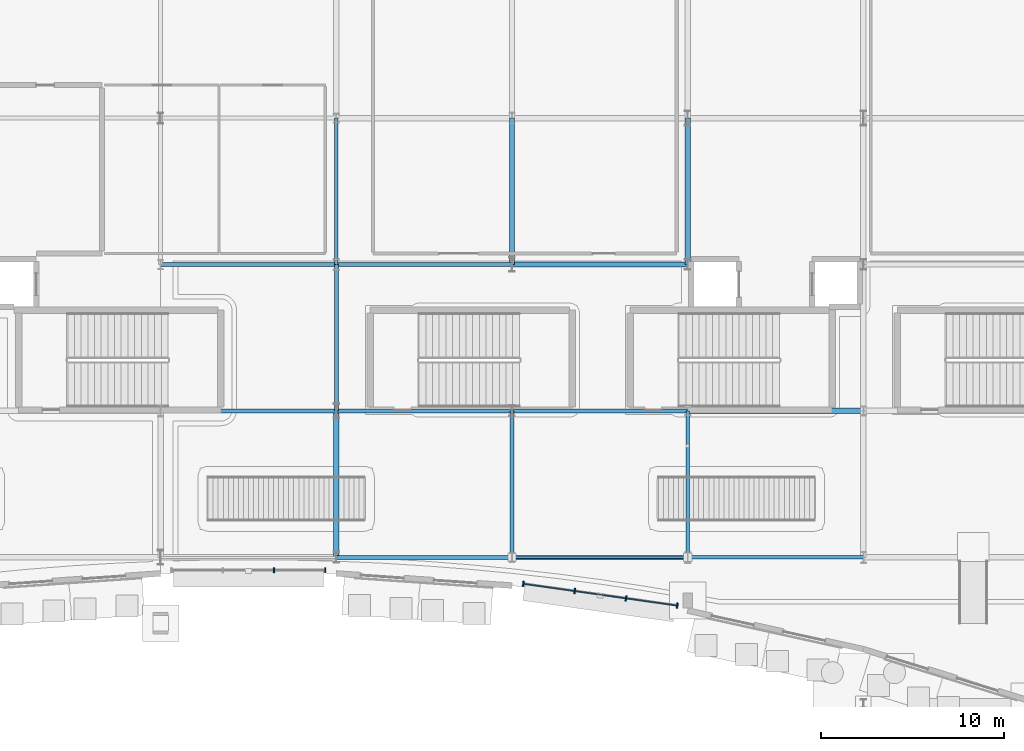
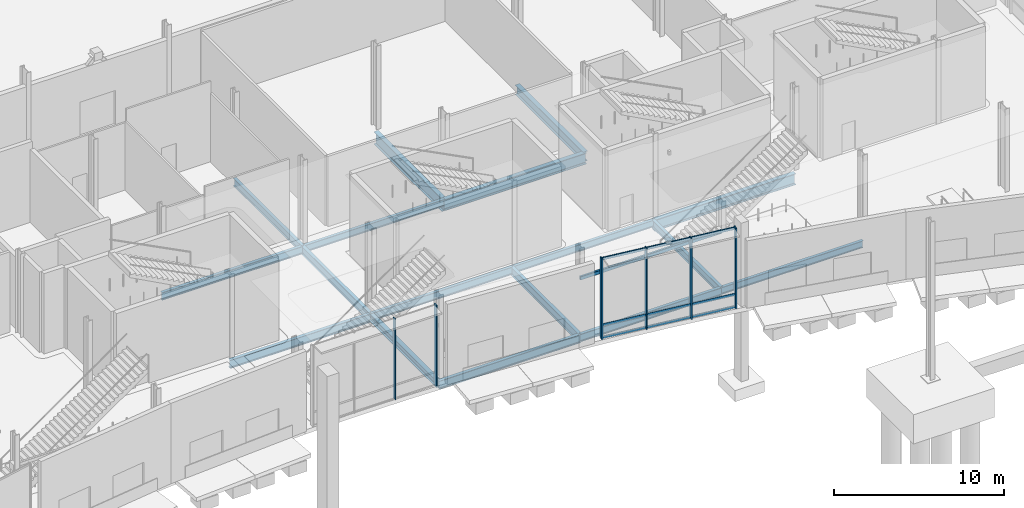
# One storey, part 39 of 124: 18 beams, 9 members, 2 elements without a shape of their own.
"""IFC4 building model written with IfcOpenShell, lengths in metres."""

from ifc_helpers import new_model, si_unit, direction, frame, origin, origin_2d, place, context, subcontext, project, spatial, rectangle, hollow_rectangle, i_section, extrude, material, material_profile, profile_set, type_object, element, aggregate, save


model = new_model("IFC4")

# Units and contexts
model_context = context("Model", 3, precision=1e-05, world=origin(), true_north=direction((0.0, 1.0)))
body_context = subcontext(model_context, "Body", "Model", "MODEL_VIEW")
ifc_project = project(units=[si_unit("LENGTHUNIT", "METRE"), si_unit("AREAUNIT", "SQUARE_METRE"), si_unit("VOLUMEUNIT", "CUBIC_METRE"), si_unit("PLANEANGLEUNIT", "RADIAN"), si_unit("MASSUNIT", "GRAM", prefix="KILO")], contexts=[model_context])

# Site, building, storey
site_placement = place(None, origin())
site = spatial("IfcSite", under=ifc_project, at=site_placement, CompositionType="ELEMENT")
building_placement = place(site_placement, origin())
building = spatial("IfcBuilding", under=site, at=building_placement, Name="Danafjord Basin Convention Centre", CompositionType="ELEMENT")
storey_placement = place(building_placement, origin())
storey = spatial("IfcBuildingStorey", under=building, at=storey_placement, Name="L00", CompositionType="ELEMENT", Elevation=0.0)

# Beams
ifc_material_1 = material(Name="Steel S355", Category="steel")
ifc_material_profile_1 = material_profile(ifc_material_1, i_section(OverallWidth=0.300048828125, OverallDepth=0.5, WebThickness=0.014404296875, FlangeThickness=0.028076171875, FilletRadius=0.027099609375, at=origin_2d()), Name="HEB 500")
ifc_profile_set_1 = profile_set([ifc_material_profile_1], Name="Steel S355")
beam_type_1 = type_object("IfcBeamType", Name="BEAM-BM-HEB500", PredefinedType="BEAM", material=ifc_profile_set_1)
beam_1_placement = place(storey_placement, frame((67.199951171875, 8.0, -0.56005859375), z_axis=(0.0, 1.0, 0.0), x_axis=(-1.0, 0.0, 0.0)))
element("IfcBeam", 1, at=beam_1_placement, inside=storey, type_object=beam_type_1, Name="L00 transverse girder BM-HEB500", PredefinedType="BEAM", context=body_context, shape_type="SweptSolid", body=[
    extrude(i_section(OverallWidth=0.300048828125, OverallDepth=0.5, WebThickness=0.014404296875, FlangeThickness=0.028076171875, FilletRadius=0.027099609375, at=origin_2d()), origin(), (0.0, 0.0, 1.0), 8.0),
])
ifc_material_profile_2 = material_profile(ifc_material_1, i_section(OverallWidth=0.300048828125, OverallDepth=0.699951171875, WebThickness=0.01708984375, FlangeThickness=0.031982421875, FilletRadius=0.027099609375, at=origin_2d()), Name="HEB 700")
ifc_profile_set_2 = profile_set([ifc_material_profile_2], Name="Steel S355")
beam_type_2 = type_object("IfcBeamType", Name="BEAM-BM-HEB700", PredefinedType="BEAM", material=ifc_profile_set_2)
beam_2_placement = place(storey_placement, frame((86.39990234375, 24.0, -0.659912109375), z_axis=(0.0, 1.0, 0.0), x_axis=(-1.0, 0.0, 0.0)))
element("IfcBeam", 2, at=beam_2_placement, inside=storey, type_object=beam_type_2, Name="L00 transverse girder BM-HEB700", PredefinedType="BEAM", context=body_context, shape_type="SweptSolid", body=[
    extrude(i_section(OverallWidth=0.300048828125, OverallDepth=0.699951171875, WebThickness=0.01708984375, FlangeThickness=0.031982421875, FilletRadius=0.027099609375, at=origin_2d()), origin(), (0.0, 0.0, 1.0), 8.0),
])
ifc_material_profile_3 = material_profile(ifc_material_1, i_section(OverallWidth=0.300048828125, OverallDepth=0.800048828125, WebThickness=0.017578125, FlangeThickness=0.032958984375, FilletRadius=0.030029296875, at=origin_2d()), Name="HEB 800")
ifc_profile_set_3 = profile_set([ifc_material_profile_3], Name="Steel S355")
beam_type_3 = type_object("IfcBeamType", Name="BEAM-BM-HEB800", PredefinedType="BEAM", material=ifc_profile_set_3)
beam_3_placement = place(storey_placement, frame((76.800048828125, 24.0, -0.7099609375), z_axis=(1.0, 0.0, 0.0), x_axis=(0.0, 1.0, 0.0)))
element("IfcBeam", 3, at=beam_3_placement, inside=storey, type_object=beam_type_3, Name="L00 girder BM-HEB800", PredefinedType="BEAM", context=body_context, shape_type="SweptSolid", body=[
    extrude(i_section(OverallWidth=0.300048828125, OverallDepth=0.800048828125, WebThickness=0.017578125, FlangeThickness=0.032958984375, FilletRadius=0.030029296875, at=origin_2d()), origin(), (0.0, 0.0, 1.0), 9.599853515625),
])
beam_4_placement = place(storey_placement, frame((86.39990234375, 16.0, -0.7099609375), z_axis=(1.0, 0.0, 0.0), x_axis=(0.0, 1.0, 0.0)))
element("IfcBeam", 4, at=beam_4_placement, inside=storey, type_object=beam_type_3, Name="L00 girder BM-HEB800", PredefinedType="BEAM", context=body_context, shape_type="SweptSolid", body=[
    extrude(i_section(OverallWidth=0.300048828125, OverallDepth=0.800048828125, WebThickness=0.017578125, FlangeThickness=0.032958984375, FilletRadius=0.030029296875, at=origin_2d()), origin(), (0.0, 0.0, 1.0), 9.60009765625),
])
ifc_material_profile_4 = material_profile(ifc_material_1, i_section(OverallWidth=0.300048828125, OverallDepth=0.89990234375, WebThickness=0.0185546875, FlangeThickness=0.034912109375, FilletRadius=0.030029296875, at=origin_2d()), Name="HEB 900")
ifc_profile_set_4 = profile_set([ifc_material_profile_4], Name="Steel S355")
beam_type_4 = type_object("IfcBeamType", Name="BEAM-BM-HEB900", PredefinedType="BEAM", material=ifc_profile_set_4)
beam_5_placement = place(storey_placement, frame((76.800048828125, 24.0, -0.760009765625), z_axis=(0.0, 1.0, 0.0), x_axis=(-1.0, 0.0, 0.0)))
element("IfcBeam", 5, at=beam_5_placement, inside=storey, type_object=beam_type_4, Name="L00 transverse girder BM-HEB900", PredefinedType="BEAM", context=body_context, shape_type="SweptSolid", body=[
    extrude(i_section(OverallWidth=0.300048828125, OverallDepth=0.89990234375, WebThickness=0.0185546875, FlangeThickness=0.034912109375, FilletRadius=0.030029296875, at=origin_2d()), origin(), (0.0, 0.0, 1.0), 8.0),
])
ifc_material_profile_5 = material_profile(ifc_material_1, i_section(OverallWidth=0.199951171875, OverallDepth=0.5, WebThickness=0.01025390625, FlangeThickness=0.01611328125, FilletRadius=0.02099609375, at=origin_2d()), Name="IPE 500")
ifc_profile_set_5 = profile_set([ifc_material_profile_5], Name="Steel S355")
beam_type_5 = type_object("IfcBeamType", Name="BEAM-BM-IPE500", PredefinedType="BEAM", material=ifc_profile_set_5)
beam_6_placement = place(storey_placement, frame((67.199951171875, 24.0, -0.56005859375), z_axis=(1.0, 0.0, 0.0), x_axis=(0.0, 1.0, 0.0)))
element("IfcBeam", 6, at=beam_6_placement, inside=storey, type_object=beam_type_5, Name="L00 girder BM-IPE500", PredefinedType="BEAM", context=body_context, shape_type="SweptSolid", body=[
    extrude(i_section(OverallWidth=0.199951171875, OverallDepth=0.5, WebThickness=0.01025390625, FlangeThickness=0.01611328125, FilletRadius=0.02099609375, at=origin_2d()), origin(), (0.0, 0.0, 1.0), 9.60009765625),
])
beam_7_placement = place(storey_placement, frame((76.800048828125, 16.0, -0.56005859375), z_axis=(1.0, 0.0, 0.0), x_axis=(0.0, 1.0, 0.0)))
element("IfcBeam", 7, at=beam_7_placement, inside=storey, type_object=beam_type_5, Name="L00 girder BM-IPE500", PredefinedType="BEAM", context=body_context, shape_type="SweptSolid", body=[
    extrude(i_section(OverallWidth=0.199951171875, OverallDepth=0.5, WebThickness=0.01025390625, FlangeThickness=0.01611328125, FilletRadius=0.02099609375, at=origin_2d()), origin(), (0.0, 0.0, 1.0), 9.599853515625),
])
beam_8_placement = place(storey_placement, frame((86.39990234375, 8.0, -0.56005859375), z_axis=(1.0, 0.0, 0.0), x_axis=(0.0, 1.0, 0.0)))
element("IfcBeam", 8, at=beam_8_placement, inside=storey, type_object=beam_type_5, Name="L00 girder BM-IPE500", PredefinedType="BEAM", context=body_context, shape_type="SweptSolid", body=[
    extrude(i_section(OverallWidth=0.199951171875, OverallDepth=0.5, WebThickness=0.01025390625, FlangeThickness=0.01611328125, FilletRadius=0.02099609375, at=origin_2d()), origin(), (0.0, 0.0, 1.0), 9.60009765625),
])
ifc_material_profile_6 = material_profile(ifc_material_1, i_section(OverallWidth=0.2099609375, OverallDepth=0.550048828125, WebThickness=0.010986328125, FlangeThickness=0.01708984375, FilletRadius=0.02392578125, at=origin_2d()), Name="IPE 550")
ifc_profile_set_6 = profile_set([ifc_material_profile_6], Name="Steel S355")
beam_type_6 = type_object("IfcBeamType", Name="BEAM-BM-IPE550", PredefinedType="BEAM", material=ifc_profile_set_6)
beam_9_placement = place(storey_placement, frame((57.60009765625, 24.0, -0.5849609375), z_axis=(1.0, 0.0, 0.0), x_axis=(0.0, 1.0, 0.0)))
element("IfcBeam", 9, at=beam_9_placement, inside=storey, type_object=beam_type_6, Name="L00 girder BM-IPE550", PredefinedType="BEAM", context=body_context, shape_type="SweptSolid", body=[
    extrude(i_section(OverallWidth=0.2099609375, OverallDepth=0.550048828125, WebThickness=0.010986328125, FlangeThickness=0.01708984375, FilletRadius=0.02392578125, at=origin_2d()), origin(), (0.0, 0.0, 1.0), 9.599853515625),
])
beam_10_placement = place(storey_placement, frame((67.199951171875, 16.0, -0.5849609375), z_axis=(1.0, 0.0, 0.0), x_axis=(0.0, 1.0, 0.0)))
element("IfcBeam", 10, at=beam_10_placement, inside=storey, type_object=beam_type_6, Name="L00 girder BM-IPE550", PredefinedType="BEAM", context=body_context, shape_type="SweptSolid", body=[
    extrude(i_section(OverallWidth=0.2099609375, OverallDepth=0.550048828125, WebThickness=0.010986328125, FlangeThickness=0.01708984375, FilletRadius=0.02392578125, at=origin_2d()), origin(), (0.0, 0.0, 1.0), 9.60009765625),
])
beam_11_placement = place(storey_placement, frame((76.800048828125, 8.0, -0.5849609375), z_axis=(1.0, 0.0, 0.0), x_axis=(0.0, 1.0, 0.0)))
element("IfcBeam", 11, at=beam_11_placement, inside=storey, type_object=beam_type_6, Name="L00 girder BM-IPE550", PredefinedType="BEAM", context=body_context, shape_type="SweptSolid", body=[
    extrude(i_section(OverallWidth=0.2099609375, OverallDepth=0.550048828125, WebThickness=0.010986328125, FlangeThickness=0.01708984375, FilletRadius=0.02392578125, at=origin_2d()), origin(), (0.0, 0.0, 1.0), 9.599853515625),
])
for number, where, z_axis, x_axis, name in (
    (12, (67.199951171875, 24.0, -0.5849609375), (0.0, 1.0, 0.0), (-1.0, 0.0, 0.0), "L00 transverse girder BM-IPE550"),
    (13, (86.39990234375, 8.0, -0.5849609375), (0.0, 1.0, 0.0), (-1.0, 0.0, 0.0), "L00 transverse girder BM-IPE550"),
):
    element("IfcBeam", number, at=place(storey_placement, frame(where, z_axis=z_axis, x_axis=x_axis)), inside=storey, type_object=beam_type_6, Name=name, PredefinedType="BEAM", context=body_context, shape_type="SweptSolid", body=[
        extrude(i_section(OverallWidth=0.2099609375, OverallDepth=0.550048828125, WebThickness=0.010986328125, FlangeThickness=0.01708984375, FilletRadius=0.02392578125, at=origin_2d()), origin(), (0.0, 0.0, 1.0), 8.0),
    ])
ifc_material_profile_7 = material_profile(ifc_material_1, i_section(OverallWidth=0.219970703125, OverallDepth=0.60009765625, WebThickness=0.011962890625, FlangeThickness=0.01904296875, FilletRadius=0.02392578125, at=origin_2d()), Name="IPE 600")
ifc_profile_set_7 = profile_set([ifc_material_profile_7], Name="Steel S355")
beam_type_7 = type_object("IfcBeamType", Name="BEAM-BM-IPE600", PredefinedType="BEAM", material=ifc_profile_set_7)
beam_12_placement = place(storey_placement, frame((57.60009765625, 16.0, -0.610107421875), z_axis=(1.0, 0.0, 0.0), x_axis=(0.0, 1.0, 0.0)))
element("IfcBeam", 14, at=beam_12_placement, inside=storey, type_object=beam_type_7, Name="L00 girder BM-IPE600", PredefinedType="BEAM", context=body_context, shape_type="SweptSolid", body=[
    extrude(i_section(OverallWidth=0.219970703125, OverallDepth=0.60009765625, WebThickness=0.011962890625, FlangeThickness=0.01904296875, FilletRadius=0.02392578125, at=origin_2d()), origin(), (0.0, 0.0, 1.0), 9.599853515625),
])
beam_13_placement = place(storey_placement, frame((67.199951171875, 8.0, -0.610107421875), z_axis=(1.0, 0.0, 0.0), x_axis=(0.0, 1.0, 0.0)))
element("IfcBeam", 15, at=beam_13_placement, inside=storey, type_object=beam_type_7, Name="L00 girder BM-IPE600", PredefinedType="BEAM", context=body_context, shape_type="SweptSolid", body=[
    extrude(i_section(OverallWidth=0.219970703125, OverallDepth=0.60009765625, WebThickness=0.011962890625, FlangeThickness=0.01904296875, FilletRadius=0.02392578125, at=origin_2d()), origin(), (0.0, 0.0, 1.0), 9.60009765625),
])
for number, where, z_axis, x_axis, name in (
    (16, (67.199951171875, 16.0, -0.610107421875), (0.0, 1.0, 0.0), (-1.0, 0.0, 0.0), "L00 transverse girder BM-IPE600"),
    (17, (76.800048828125, 8.0, -0.610107421875), (0.0, 1.0, 0.0), (-1.0, 0.0, 0.0), "L00 transverse girder BM-IPE600"),
):
    element("IfcBeam", number, at=place(storey_placement, frame(where, z_axis=z_axis, x_axis=x_axis)), inside=storey, type_object=beam_type_7, Name=name, PredefinedType="BEAM", context=body_context, shape_type="SweptSolid", body=[
        extrude(i_section(OverallWidth=0.219970703125, OverallDepth=0.60009765625, WebThickness=0.011962890625, FlangeThickness=0.01904296875, FilletRadius=0.02392578125, at=origin_2d()), origin(), (0.0, 0.0, 1.0), 8.0),
    ])
ifc_material_profile_8 = material_profile(ifc_material_1, hollow_rectangle(XDim=0.14990234375, YDim=0.25, WallThickness=0.010009765625, InnerFilletRadius=0.014892578125, OuterFilletRadius=0.02490234375, at=origin_2d()), Name="RHS 250x150x10.0")
ifc_profile_set_8 = profile_set([ifc_material_profile_8], Name="Steel S355")
beam_type_8 = type_object("IfcBeamType", Name="BEAM-LN-RHS250", PredefinedType="LINTEL", material=ifc_profile_set_8)
beam_14_placement = place(storey_placement, frame((76.800048828125, 8.0, 3.675048828125), z_axis=(1.0, 0.0, 0.0), x_axis=(0.0, 1.0, 0.0)))
element("IfcBeam", 18, at=beam_14_placement, inside=storey, type_object=beam_type_8, Name="L00 structural portal lintel LN-RHS250", PredefinedType="LINTEL", context=body_context, shape_type="SweptSolid", body=[
    extrude(hollow_rectangle(XDim=0.14990234375, YDim=0.25, WallThickness=0.010009765625, InnerFilletRadius=0.014892578125, OuterFilletRadius=0.02490234375, at=origin_2d()), origin(), (0.0, 0.0, 1.0), 9.599853515625),
])

# Curtain wall, members
ifc_material_2 = material(Name="Anodised aluminium and triple glazing", Category="aluminium")
curtain_wall_type = type_object("IfcCurtainWallType", Name="CW-CW-HARB", PredefinedType="NOTDEFINED", material=ifc_material_2)
curtain_wall_1_placement = place(storey_placement, origin())
curtain_wall_1 = element("IfcCurtainWall", 19, at=curtain_wall_1_placement, inside=storey, type_object=curtain_wall_type, Name="L00 CW-HARB unitised curtain wall bay 13", PredefinedType="NOTDEFINED")
ifc_material_3 = material(Name="Anodised aluminium EN AW-6060", Category="aluminium")
ifc_material_profile_9 = material_profile(ifc_material_3, rectangle(XDim=0.070068359375, YDim=0.260009765625, at=origin_2d()), Name="MULL 70x260")
ifc_profile_set_9 = profile_set([ifc_material_profile_9], Name="Anodised aluminium EN AW-6060")
member_type_1 = type_object("IfcMemberType", Name="MEM-ML-260", PredefinedType="MULLION", material=ifc_profile_set_9)
member_1_placement = place(storey_placement, frame((63.800048828125, 7.300048828125, -0.02490234375), z_axis=(0.0, 0.0, 1.0), x_axis=(1.0, 0.0, 0.0)))
member_1 = element("IfcMember", 20, at=member_1_placement, type_object=member_type_1, Name="CW-L00-013 mullion 3", PredefinedType="MULLION", context=body_context, shape_type="SweptSolid", body=[
    extrude(rectangle(XDim=0.070068359375, YDim=0.260009765625, at=origin_2d()), origin(), (0.0, 0.0, 1.0), 5.804931640625),
])
member_2_placement = place(storey_placement, frame((66.60009765625, 7.300048828125, -0.02490234375), z_axis=(0.0, 0.0, 1.0), x_axis=(1.0, 0.0, 0.0)))
member_2 = element("IfcMember", 21, at=member_2_placement, type_object=member_type_1, Name="CW-L00-013 mullion 4", PredefinedType="MULLION", context=body_context, shape_type="SweptSolid", body=[
    extrude(rectangle(XDim=0.070068359375, YDim=0.260009765625, at=origin_2d()), origin(), (0.0, 0.0, 1.0), 5.804931640625),
])
aggregate(curtain_wall_1, [member_1, member_2])

curtain_wall_2_placement = place(storey_placement, origin())
curtain_wall_2 = element("IfcCurtainWall", 22, at=curtain_wall_2_placement, inside=storey, type_object=curtain_wall_type, Name="L00 CW-HARB unitised curtain wall bay 14", PredefinedType="NOTDEFINED")
ifc_material_profile_10 = material_profile(ifc_material_3, rectangle(XDim=0.080078125, YDim=0.300048828125, at=origin_2d()), Name="MULL 80x300")
ifc_profile_set_10 = profile_set([ifc_material_profile_10], Name="Anodised aluminium EN AW-6060")
member_type_2 = type_object("IfcMemberType", Name="MEM-ML-300", PredefinedType="MULLION", material=ifc_profile_set_10)
member_3_placement = place(storey_placement, frame((77.42041015625, 6.554443359375, -0.02490234375), z_axis=(0.0, 0.0, 1.0), x_axis=(0.990128157327, -0.140165017276, 0.0)))
member_3 = element("IfcMember", 23, at=member_3_placement, type_object=member_type_2, Name="CW-L00-014 mullion 1", PredefinedType="MULLION", context=body_context, shape_type="SweptSolid", body=[
    extrude(rectangle(XDim=0.080078125, YDim=0.300048828125, at=origin_2d()), origin(), (0.0, 0.0, 1.0), 5.804931640625),
])
member_4_placement = place(storey_placement, frame((80.224365234375, 6.157470703125, -0.02490234375), z_axis=(0.0, 0.0, 1.0), x_axis=(0.990128157327, -0.140165017276, 0.0)))
member_4 = element("IfcMember", 24, at=member_4_placement, type_object=member_type_2, Name="CW-L00-014 mullion 2", PredefinedType="MULLION", context=body_context, shape_type="SweptSolid", body=[
    extrude(rectangle(XDim=0.080078125, YDim=0.300048828125, at=origin_2d()), origin(), (0.0, 0.0, 1.0), 5.804931640625),
])
member_5_placement = place(storey_placement, frame((83.0283203125, 5.760498046875, -0.02490234375), z_axis=(0.0, 0.0, 1.0), x_axis=(0.990128157327, -0.140165017276, 0.0)))
member_5 = element("IfcMember", 25, at=member_5_placement, type_object=member_type_2, Name="CW-L00-014 mullion 3", PredefinedType="MULLION", context=body_context, shape_type="SweptSolid", body=[
    extrude(rectangle(XDim=0.080078125, YDim=0.300048828125, at=origin_2d()), origin(), (0.0, 0.0, 1.0), 5.804931640625),
])
member_6_placement = place(storey_placement, frame((85.832275390625, 5.363525390625, -0.02490234375), z_axis=(0.0, 0.0, 1.0), x_axis=(0.990128157327, -0.140165017276, 0.0)))
member_6 = element("IfcMember", 26, at=member_6_placement, type_object=member_type_2, Name="CW-L00-014 mullion 4", PredefinedType="MULLION", context=body_context, shape_type="SweptSolid", body=[
    extrude(rectangle(XDim=0.080078125, YDim=0.300048828125, at=origin_2d()), origin(), (0.0, 0.0, 1.0), 5.804931640625),
])
ifc_material_profile_11 = material_profile(ifc_material_3, rectangle(XDim=0.06494140625, YDim=0.18994140625, at=origin_2d()), Name="TRAN 65x190")
ifc_profile_set_11 = profile_set([ifc_material_profile_11], Name="Anodised aluminium EN AW-6060")
member_type_3 = type_object("IfcMemberType", Name="MEM-TR-190", PredefinedType="USERDEFINED", material=ifc_profile_set_11)
member_7_placement = place(storey_placement, frame((77.42041015625, 6.554443359375, 0.06005859375), z_axis=(0.990126306499, -0.140178090933, 0.0), x_axis=(0.140178090933, 0.990126306499, 0.0)))
member_7 = element("IfcMember", 27, at=member_7_placement, type_object=member_type_3, Name="CW-L00-014 transom 1", ObjectType="TRANSOM", PredefinedType="USERDEFINED", context=body_context, shape_type="SweptSolid", body=[
    extrude(rectangle(XDim=0.06494140625, YDim=0.18994140625, at=origin_2d()), origin(), (0.0, 0.0, 1.0), 8.495849609375),
])
member_8_placement = place(storey_placement, frame((77.42041015625, 6.554443359375, 0.949951171875), z_axis=(0.990126306499, -0.140178090933, 0.0), x_axis=(0.140178090933, 0.990126306499, 0.0)))
member_8 = element("IfcMember", 28, at=member_8_placement, type_object=member_type_3, Name="CW-L00-014 transom 2", ObjectType="TRANSOM", PredefinedType="USERDEFINED", context=body_context, shape_type="SweptSolid", body=[
    extrude(rectangle(XDim=0.06494140625, YDim=0.18994140625, at=origin_2d()), origin(), (0.0, 0.0, 1.0), 8.495849609375),
])
member_9_placement = place(storey_placement, frame((77.42041015625, 6.554443359375, 5.7099609375), z_axis=(0.990126306499, -0.140178090933, 0.0), x_axis=(0.140178090933, 0.990126306499, 0.0)))
member_9 = element("IfcMember", 29, at=member_9_placement, type_object=member_type_3, Name="CW-L00-014 transom 3", ObjectType="TRANSOM", PredefinedType="USERDEFINED", context=body_context, shape_type="SweptSolid", body=[
    extrude(rectangle(XDim=0.06494140625, YDim=0.18994140625, at=origin_2d()), origin(), (0.0, 0.0, 1.0), 8.495849609375),
])
aggregate(curtain_wall_2, [member_3, member_4, member_5, member_6, member_7, member_8, member_9])

save(model, "model.ifc")
